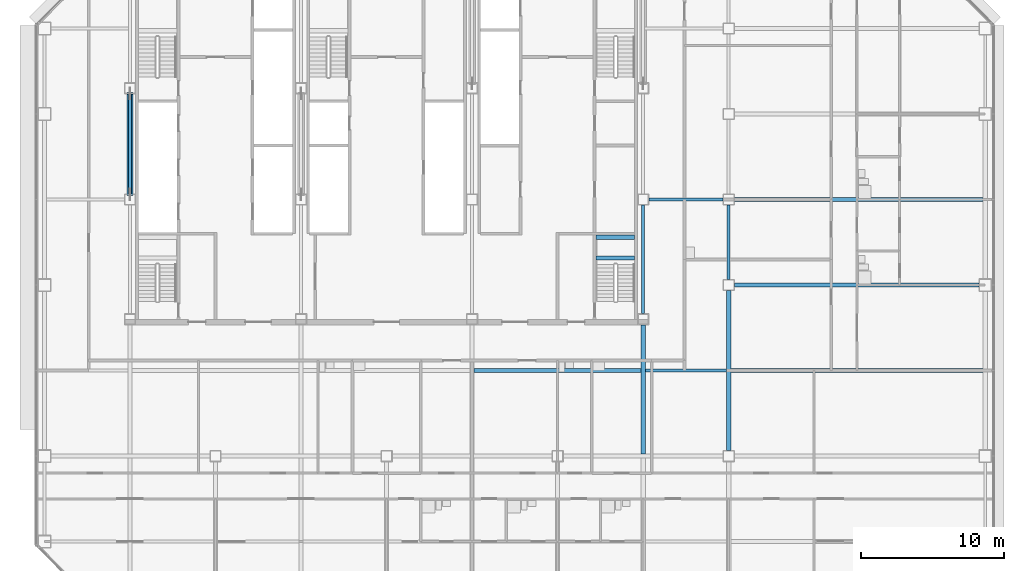
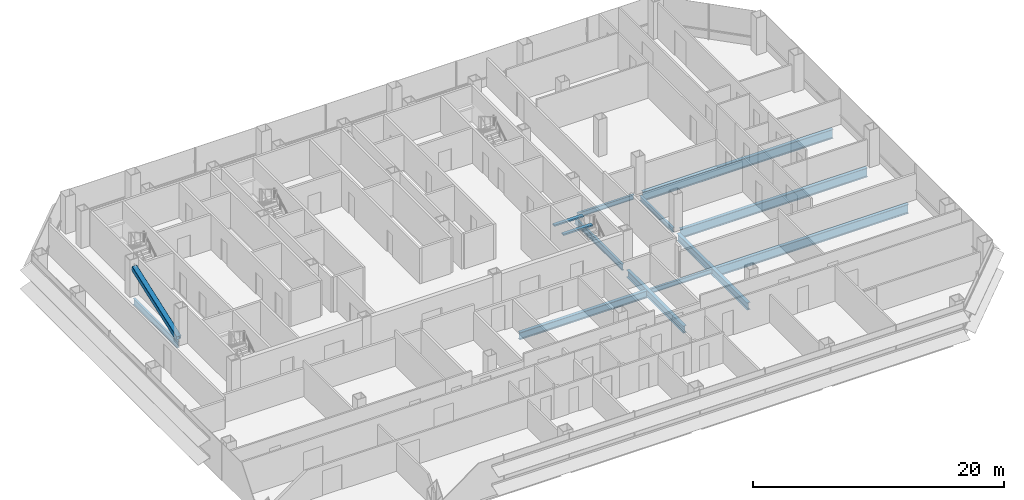
# One storey, part 10 of 26: 13 beams, 1 member.
"""IFC4 building model written with IfcOpenShell, lengths in metres."""

from ifc_helpers import new_model, si_unit, direction, frame, origin, origin_2d, place, context, subcontext, project, spatial, rectangle, hollow_rectangle, i_section, extrude, material, material_profile, profile_set, type_object, element, save


model = new_model("IFC4")

# Units and contexts
model_context = context("Model", 3, precision=1e-05, world=origin(), true_north=direction((0.0, 1.0)))
body_context = subcontext(model_context, "Body", "Model", "MODEL_VIEW")
ifc_project = project(units=[si_unit("LENGTHUNIT", "METRE"), si_unit("AREAUNIT", "SQUARE_METRE"), si_unit("VOLUMEUNIT", "CUBIC_METRE"), si_unit("PLANEANGLEUNIT", "RADIAN"), si_unit("MASSUNIT", "GRAM", prefix="KILO")], contexts=[model_context])

# Site, building, storey
site_placement = place(None, origin())
site = spatial("IfcSite", under=ifc_project, at=site_placement, CompositionType="ELEMENT")
building_placement = place(site_placement, origin())
building = spatial("IfcBuilding", under=site, at=building_placement, Name="Sorahane Residences", CompositionType="ELEMENT")
storey_placement = place(building_placement, frame((0.0, 0.0, 64.199951171875)))
storey = spatial("IfcBuildingStorey", under=building, at=storey_placement, Name="L12", CompositionType="ELEMENT", Elevation=64.199951171875)

# Member
ifc_material_1 = material(Name="Steel Q355B", Category="steel")
ifc_material_profile_1 = material_profile(ifc_material_1, hollow_rectangle(XDim=0.449951171875, YDim=0.449951171875, WallThickness=0.02197265625, InnerFilletRadius=0.010986328125, OuterFilletRadius=0.032958984375, at=origin_2d()), Name="RHS 450x450x22")
ifc_profile_set_1 = profile_set([ifc_material_profile_1], Name="Steel Q355B")
member_type = type_object("IfcMemberType", Name="Core brace RHS 450x450x22 Q355B", PredefinedType="BRACE", material=ifc_profile_set_1)
member_placement = place(storey_placement, frame((6.0, 30.354248046875, 0.20849609375), z_axis=(0.0, 0.940886586011, 0.338721762313), x_axis=(-1.0, 0.0, 0.0)))
element("IfcMember", 1, at=member_placement, inside=storey, type_object=member_type, Name="Core brace L12 x6-2", PredefinedType="BRACE", context=body_context, shape_type="SweptSolid", body=[
    extrude(hollow_rectangle(XDim=0.449951171875, YDim=0.449951171875, WallThickness=0.02197265625, InnerFilletRadius=0.010986328125, OuterFilletRadius=0.032958984375, at=origin_2d()), origin(), (0.0, 0.0, 1.0), 7.537109375),
])

# Beams
ifc_material_2 = material(Name="Concrete C40", Category="concrete")
ifc_material_profile_2 = material_profile(ifc_material_2, rectangle(XDim=0.300048828125, YDim=0.139892578125, at=origin_2d()), Name="300x140")
ifc_profile_set_2 = profile_set([ifc_material_profile_2], Name="Concrete C40")
beam_type_1 = type_object("IfcBeamType", Name="RC landing beam 300 x 140 Concrete C40", PredefinedType="BEAM", material=ifc_profile_set_2)
for number, where, z_axis, x_axis, name in (
    (2, (38.699951171875, 25.89990234375, 1.530029296875), (1.0, 0.0, 0.0), (0.0, 1.0, 0.0), "Landing beam"),
    (3, (38.699951171875, 27.35009765625, 1.530029296875), (1.0, 0.0, 0.0), (0.0, 1.0, 0.0), "Landing beam"),
):
    element("IfcBeam", number, at=place(storey_placement, frame(where, z_axis=z_axis, x_axis=x_axis)), inside=storey, type_object=beam_type_1, Name=name, PredefinedType="BEAM", context=body_context, shape_type="SweptSolid", body=[
        extrude(rectangle(XDim=0.300048828125, YDim=0.139892578125, at=origin_2d()), origin(), (0.0, 0.0, 1.0), 2.699951171875),
    ])
ifc_material_3 = material(Name="Steel Q355B", Category="steel")
ifc_material_profile_3 = material_profile(ifc_material_3, i_section(OverallWidth=0.199951171875, OverallDepth=0.449951171875, WebThickness=0.009033203125, FlangeThickness=0.013916015625, FilletRadius=0.02001953125, at=origin_2d()), Name="HN 450x200x9x14")
ifc_profile_set_3 = profile_set([ifc_material_profile_3], Name="Steel Q355B")
beam_type_2 = type_object("IfcBeamType", Name="Steel floor beam HN 450x200x9x14 Q355B", PredefinedType="BEAM", material=ifc_profile_set_3)
beam_1_placement = place(storey_placement, frame((48.0, 24.39990234375, -0.405029296875), z_axis=(0.0, 1.0, 0.0), x_axis=(-1.0, 0.0, 0.0)))
element("IfcBeam", 4, at=beam_1_placement, inside=storey, type_object=beam_type_2, Name="Beam L12 053", PredefinedType="BEAM", context=body_context, shape_type="SweptSolid", body=[
    extrude(i_section(OverallWidth=0.199951171875, OverallDepth=0.449951171875, WebThickness=0.009033203125, FlangeThickness=0.013916015625, FilletRadius=0.02001953125, at=origin_2d()), origin(), (0.0, 0.0, 1.0), 5.2001953125),
])
beam_2_placement = place(storey_placement, frame((42.14990234375, 18.0, -0.405029296875), z_axis=(1.0, 0.0, 0.0), x_axis=(0.0, 1.0, 0.0)))
element("IfcBeam", 5, at=beam_2_placement, inside=storey, type_object=beam_type_2, Name="Beam L12 074", PredefinedType="BEAM", context=body_context, shape_type="SweptSolid", body=[
    extrude(i_section(OverallWidth=0.199951171875, OverallDepth=0.449951171875, WebThickness=0.009033203125, FlangeThickness=0.013916015625, FilletRadius=0.02001953125, at=origin_2d()), origin(), (0.0, 0.0, 1.0), 5.7001953125),
])
beam_3_placement = place(storey_placement, frame((42.39990234375, 30.0, -0.405029296875), z_axis=(1.0, 0.0, 0.0), x_axis=(0.0, 1.0, 0.0)))
element("IfcBeam", 6, at=beam_3_placement, inside=storey, type_object=beam_type_2, Name="Beam L12 077", PredefinedType="BEAM", context=body_context, shape_type="SweptSolid", body=[
    extrude(i_section(OverallWidth=0.199951171875, OverallDepth=0.449951171875, WebThickness=0.009033203125, FlangeThickness=0.013916015625, FilletRadius=0.02001953125, at=origin_2d()), origin(), (0.0, 0.0, 1.0), 5.2001953125),
])
ifc_material_4 = material(Name="Steel Q355B", Category="steel")
ifc_material_profile_4 = material_profile(ifc_material_4, i_section(OverallWidth=0.199951171875, OverallDepth=0.60009765625, WebThickness=0.010986328125, FlangeThickness=0.01708984375, FilletRadius=0.02392578125, at=origin_2d()), Name="HN 600x200x11x17")
ifc_profile_set_4 = profile_set([ifc_material_profile_4], Name="Steel Q355B")
beam_type_3 = type_object("IfcBeamType", Name="Steel floor beam HN 600x200x11x17 Q355B", PredefinedType="BEAM", material=ifc_profile_set_4)
beam_4_placement = place(storey_placement, frame((6.0, 30.39990234375, -0.47998046875), z_axis=(0.0, 1.0, 0.0), x_axis=(-1.0, 0.0, 0.0)))
element("IfcBeam", 7, at=beam_4_placement, inside=storey, type_object=beam_type_3, Name="Beam L12 024", PredefinedType="BEAM", context=body_context, shape_type="SweptSolid", body=[
    extrude(i_section(OverallWidth=0.199951171875, OverallDepth=0.60009765625, WebThickness=0.010986328125, FlangeThickness=0.01708984375, FilletRadius=0.02392578125, at=origin_2d()), origin(), (0.0, 0.0, 1.0), 7.0),
])
beam_5_placement = place(storey_placement, frame((42.0, 22.0, -0.47998046875), z_axis=(0.0, 1.0, 0.0), x_axis=(-1.0, 0.0, 0.0)))
element("IfcBeam", 8, at=beam_5_placement, inside=storey, type_object=beam_type_3, Name="Beam L12 047", PredefinedType="BEAM", context=body_context, shape_type="SweptSolid", body=[
    extrude(i_section(OverallWidth=0.199951171875, OverallDepth=0.60009765625, WebThickness=0.010986328125, FlangeThickness=0.01708984375, FilletRadius=0.02392578125, at=origin_2d()), origin(), (0.0, 0.0, 1.0), 7.60009765625),
])
ifc_material_5 = material(Name="Steel Q355B", Category="steel")
ifc_material_profile_5 = material_profile(ifc_material_5, i_section(OverallWidth=0.300048828125, OverallDepth=0.699951171875, WebThickness=0.012939453125, FlangeThickness=0.02392578125, FilletRadius=0.028076171875, at=origin_2d()), Name="HN 700x300x13x24")
ifc_profile_set_5 = profile_set([ifc_material_profile_5], Name="Steel Q355B")
beam_type_4 = type_object("IfcBeamType", Name="Steel floor beam HN 700x300x13x24 Q355B", PredefinedType="BEAM", material=ifc_profile_set_5)
beam_6_placement = place(storey_placement, frame((42.0, 12.14990234375, -0.530029296875), z_axis=(0.0, 1.0, 0.0), x_axis=(-1.0, 0.0, 0.0)))
element("IfcBeam", 9, at=beam_6_placement, inside=storey, type_object=beam_type_4, Name="Beam L12 046", PredefinedType="BEAM", context=body_context, shape_type="SweptSolid", body=[
    extrude(i_section(OverallWidth=0.300048828125, OverallDepth=0.699951171875, WebThickness=0.012939453125, FlangeThickness=0.02392578125, FilletRadius=0.028076171875, at=origin_2d()), origin(), (0.0, 0.0, 1.0), 9.050048828125),
])
beam_7_placement = place(storey_placement, frame((48.0, 12.39990234375, -0.530029296875), z_axis=(0.0, 1.0, 0.0), x_axis=(-1.0, 0.0, 0.0)))
element("IfcBeam", 10, at=beam_7_placement, inside=storey, type_object=beam_type_4, Name="Beam L12 052", PredefinedType="BEAM", context=body_context, shape_type="SweptSolid", body=[
    extrude(i_section(OverallWidth=0.300048828125, OverallDepth=0.699951171875, WebThickness=0.012939453125, FlangeThickness=0.02392578125, FilletRadius=0.028076171875, at=origin_2d()), origin(), (0.0, 0.0, 1.0), 11.2001953125),
])
beam_8_placement = place(storey_placement, frame((30.14990234375, 18.0, -0.530029296875), z_axis=(1.0, 0.0, 0.0), x_axis=(0.0, 1.0, 0.0)))
element("IfcBeam", 11, at=beam_8_placement, inside=storey, type_object=beam_type_4, Name="Beam L12 073", PredefinedType="BEAM", context=body_context, shape_type="SweptSolid", body=[
    extrude(i_section(OverallWidth=0.300048828125, OverallDepth=0.699951171875, WebThickness=0.012939453125, FlangeThickness=0.02392578125, FilletRadius=0.028076171875, at=origin_2d()), origin(), (0.0, 0.0, 1.0), 11.7001953125),
])
ifc_material_6 = material(Name="Steel Q355B", Category="steel")
ifc_material_profile_6 = material_profile(ifc_material_6, i_section(OverallWidth=0.300048828125, OverallDepth=0.89990234375, WebThickness=0.01611328125, FlangeThickness=0.028076171875, FilletRadius=0.028076171875, at=origin_2d()), Name="HN 900x300x16x28")
ifc_profile_set_6 = profile_set([ifc_material_profile_6], Name="Steel Q355B")
beam_type_5 = type_object("IfcBeamType", Name="Steel floor beam HN 900x300x16x28 Q355B", PredefinedType="BEAM", material=ifc_profile_set_6)
beam_9_placement = place(storey_placement, frame((48.39990234375, 24.0, -0.6298828125), z_axis=(1.0, 0.0, 0.0), x_axis=(0.0, 1.0, 0.0)))
element("IfcBeam", 12, at=beam_9_placement, inside=storey, type_object=beam_type_5, Name="Beam L12 010", PredefinedType="BEAM", context=body_context, shape_type="SweptSolid", body=[
    extrude(i_section(OverallWidth=0.300048828125, OverallDepth=0.89990234375, WebThickness=0.01611328125, FlangeThickness=0.028076171875, FilletRadius=0.028076171875, at=origin_2d()), origin(), (0.0, 0.0, 1.0), 17.150146484375),
])
beam_10_placement = place(storey_placement, frame((48.14990234375, 18.0, -0.6298828125), z_axis=(1.0, 0.0, 0.0), x_axis=(0.0, 1.0, 0.0)))
element("IfcBeam", 13, at=beam_10_placement, inside=storey, type_object=beam_type_5, Name="Beam L12 075", PredefinedType="BEAM", context=body_context, shape_type="SweptSolid", body=[
    extrude(i_section(OverallWidth=0.300048828125, OverallDepth=0.89990234375, WebThickness=0.01611328125, FlangeThickness=0.028076171875, FilletRadius=0.028076171875, at=origin_2d()), origin(), (0.0, 0.0, 1.0), 17.7001953125),
])
beam_11_placement = place(storey_placement, frame((48.39990234375, 30.0, -0.6298828125), z_axis=(1.0, 0.0, 0.0), x_axis=(0.0, 1.0, 0.0)))
element("IfcBeam", 14, at=beam_11_placement, inside=storey, type_object=beam_type_5, Name="Beam L12 078", PredefinedType="BEAM", context=body_context, shape_type="SweptSolid", body=[
    extrude(i_section(OverallWidth=0.300048828125, OverallDepth=0.89990234375, WebThickness=0.01611328125, FlangeThickness=0.028076171875, FilletRadius=0.028076171875, at=origin_2d()), origin(), (0.0, 0.0, 1.0), 17.4501953125),
])

save(model, "model.ifc")
